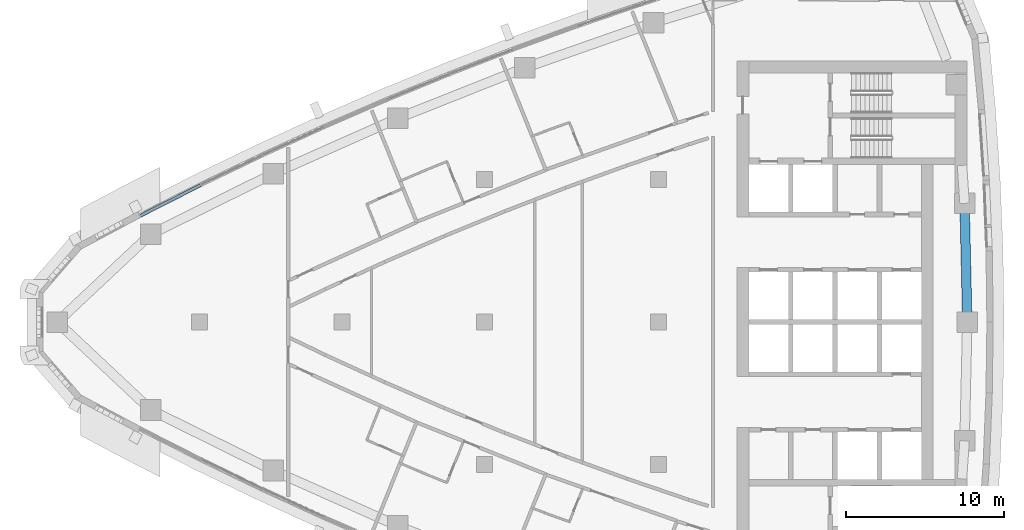
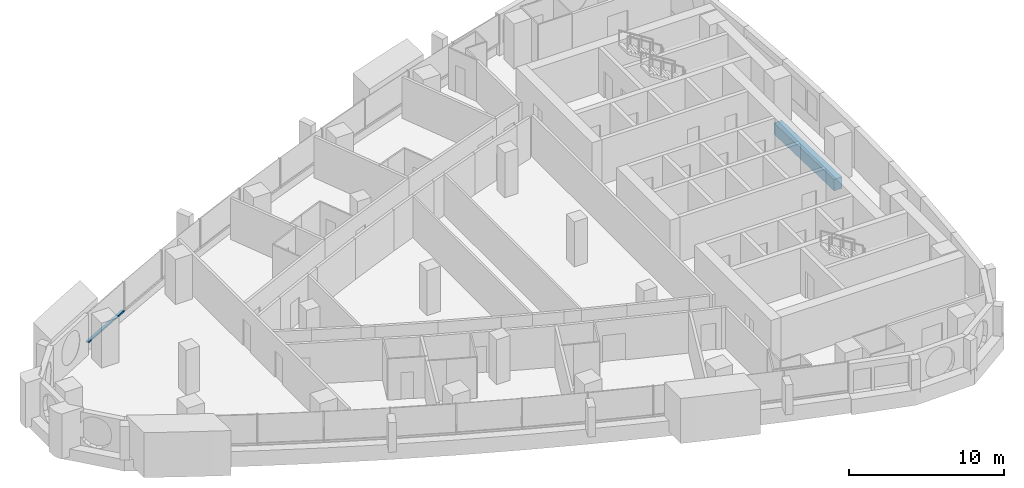
# One storey, part 5 of 17: 1 beam, 1 member, 1 element without a shape of its own.
"""IFC4 building model written with IfcOpenShell, lengths in metres."""

import ifcopenshell
import ifcopenshell.guid

model = None  # the IFC model being written
_history = None  # IfcOwnerHistory: only IFC2X3 demands one
_inside = {}  # id of a spatial element -> (the spatial element, [elements in it])
_under = {}  # id of a project, library or spatial element -> (it, [spatial elements below it])
_declared = {}  # id of a project -> (the project, [libraries it declares])
_typed = {}  # id of a type object -> (the type object, [elements of that type])
_made_of = {}  # id of a material, layer set ... -> (it, [elements and type objects made of it])


def new_model(schema):
    """Start an empty IFC model of exactly this schema.

    Asked for "IFC4X3", IfcOpenShell would pick the latest addendum, in which some entities
    have other attributes; the version numbers below select the first issue.
    IFC2X3 requires an IfcOwnerHistory on every rooted entity: one is made here for all.
    """
    global model, _history
    if schema == "IFC4X3":
        model = ifcopenshell.file(schema_version=(4, 3, 0, 0))
    else:
        model = ifcopenshell.file(schema=schema)
    _inside.clear()
    _under.clear()
    _declared.clear()
    _typed.clear()
    _made_of.clear()
    _history = None
    if model.schema == "IFC2X3":
        org = make("IfcOrganization", Name="unknown")
        user = make(
            "IfcPersonAndOrganization",
            ThePerson=make("IfcPerson", FamilyName="unknown"),
            TheOrganization=org,
        )
        app = make(
            "IfcApplication",
            ApplicationDeveloper=org,
            Version="unknown",
            ApplicationFullName="unknown",
            ApplicationIdentifier="unknown",
        )
        _history = make(
            "IfcOwnerHistory",
            OwningUser=user,
            OwningApplication=app,
            ChangeAction="ADDED",
            CreationDate=0,
        )
    return model


def make(cls, **values):
    """One entity of the class cls with the attributes given. An attribute that is None is left unset."""
    return model.create_entity(
        cls, **{name: value for name, value in values.items() if value is not None}
    )


def rooted(cls, **values):
    """An entity with a GlobalId (a new one), such as an element, a storey or a relation."""
    return make(cls, GlobalId=ifcopenshell.guid.new(), OwnerHistory=_history, **values)


def si_unit(unit_type, name, prefix=None):
    """IfcSIUnit, for example si_unit("LENGTHUNIT", "METRE", prefix="MILLI")."""
    return make("IfcSIUnit", UnitType=unit_type, Prefix=prefix, Name=name)


def assignment(units):
    """IfcUnitAssignment: the units of a project."""
    return None if units is None else make("IfcUnitAssignment", Units=units)


def point(xyz):
    """IfcCartesianPoint."""
    return None if xyz is None else make("IfcCartesianPoint", Coordinates=xyz)


def direction(xyz):
    """IfcDirection."""
    return None if xyz is None else make("IfcDirection", DirectionRatios=xyz)


def frame(location, z_axis=None, x_axis=None):
    """IfcAxis2Placement3D, a coordinate frame: its origin and axes. An axis left out is left unset."""
    return make(
        "IfcAxis2Placement3D",
        Location=point(location),
        Axis=direction(z_axis),
        RefDirection=direction(x_axis),
    )


def frame_2d(location, x_axis=None):
    """IfcAxis2Placement2D, a coordinate frame in the plane: its origin and x axis."""
    return make(
        "IfcAxis2Placement2D", Location=point(location), RefDirection=direction(x_axis)
    )


def origin():
    """The frame at (0, 0, 0) with its axes left unset."""
    return frame((0.0, 0.0, 0.0))


def origin_2d():
    """The frame at (0, 0) in the plane with its x axis left unset."""
    return frame_2d((0.0, 0.0))


def place(relative_to, where):
    """IfcLocalPlacement: puts the frame where relative to a parent placement (None: the world)."""
    return make(
        "IfcLocalPlacement", PlacementRelTo=relative_to, RelativePlacement=where
    )


def context(
    kind, dimensions, precision=None, world=None, true_north=None, identifier=None
):
    """IfcGeometricRepresentationContext, for example the 3D "Model" context."""
    return make(
        "IfcGeometricRepresentationContext",
        ContextIdentifier=identifier,
        ContextType=kind,
        CoordinateSpaceDimension=dimensions,
        Precision=precision,
        WorldCoordinateSystem=world,
        TrueNorth=true_north,
    )


def subcontext(parent, identifier, kind, view, scale=None):
    """IfcGeometricRepresentationSubContext, for example "Body" below "Model"."""
    return make(
        "IfcGeometricRepresentationSubContext",
        ContextIdentifier=identifier,
        ContextType=kind,
        ParentContext=parent,
        TargetScale=scale,
        TargetView=view,
    )


def project(units=None, contexts=None):
    """IfcProject with its units and contexts."""
    return rooted(
        "IfcProject",
        Name="project",
        RepresentationContexts=contexts,
        UnitsInContext=assignment(units),
    )


def spatial(cls, under=None, at=None, **own):
    """A site, building, storey or space (cls), placed at a placement, below another one or the project."""
    s = rooted(cls, ObjectPlacement=at, **own)
    if under is not None:
        _under.setdefault(under.id(), (under, []))[1].append(s)
    return s


def profile(cls, at=None, kind="AREA", **sizes):
    """A parametric profile (cls). Its sizes go by their IFC names, for example OverallWidth=200.0."""
    return make(cls, ProfileType=kind, Position=at, **sizes)


def rectangle(**sizes):
    """IfcRectangleProfileDef."""
    return profile("IfcRectangleProfileDef", **sizes)


def extrude(swept, where, along, depth):
    """IfcExtrudedAreaSolid: the profile swept, set in the frame where, extruded along a direction by depth."""
    return make(
        "IfcExtrudedAreaSolid",
        SweptArea=swept,
        Position=where,
        ExtrudedDirection=direction(along),
        Depth=depth,
    )


def shape(context_of_items, identifier, shape_type, items):
    """IfcShapeRepresentation: the items that make up one representation, for example the "Body"."""
    return make(
        "IfcShapeRepresentation",
        ContextOfItems=context_of_items,
        RepresentationIdentifier=identifier,
        RepresentationType=shape_type,
        Items=items,
    )


def material(Name=None, Category=None):
    """IfcMaterial."""
    return make("IfcMaterial", Name=Name, Category=Category)


def layer(
    of_material, thickness, ventilated=None, Name=None, Category=None, Priority=None
):
    """IfcMaterialLayer: one layer of a wall or slab, of a material (None: an air gap)."""
    return make(
        "IfcMaterialLayer",
        Material=of_material,
        LayerThickness=thickness,
        IsVentilated=ventilated,
        Name=Name,
        Category=Category,
        Priority=Priority,
    )


def layer_set(layers, Name=None):
    """IfcMaterialLayerSet."""
    return make("IfcMaterialLayerSet", MaterialLayers=layers, LayerSetName=Name)


def material_profile(
    of_material, cross_section, Name=None, Category=None, Priority=None
):
    """IfcMaterialProfile: a cross section and its material."""
    return make(
        "IfcMaterialProfile",
        Name=Name,
        Material=of_material,
        Profile=cross_section,
        Priority=Priority,
        Category=Category,
    )


def profile_set(profiles, Name=None, composite=None):
    """IfcMaterialProfileSet."""
    return make(
        "IfcMaterialProfileSet",
        Name=Name,
        MaterialProfiles=profiles,
        CompositeProfile=composite,
    )


def made_of(thing, what):
    """Note that an element or type object is made of a material, layer set ...; save() writes the relation."""
    if what is not None:
        _made_of.setdefault(what.id(), (what, []))[1].append(thing)
    return thing


def type_object(cls, material=None, **own):
    """A type object (cls), such as IfcWallType, which elements share."""
    return made_of(rooted(cls, **own), material)


def element(
    cls,
    number,
    at=None,
    inside=None,
    cuts=None,
    type_object=None,
    material=None,
    context=None,
    identifier="Body",
    shape_type=None,
    held_by="IfcProductDefinitionShape",
    body=None,
    shapes=None,
    **own,
):
    """One element of the class cls, such as IfcWall. Its Tag is "e" and its number.

    at: its placement. inside: the storey or other place that contains it. cuts: it is an
    opening in that element (IfcRelVoidsElement). A single representation is given by context,
    identifier, shape_type and body (its items); several are given by shapes. held_by: the class
    of the entity that holds the representations. save() writes the other relations.
    """
    e = rooted(cls, Tag="e%d" % number, ObjectPlacement=at, **own)
    if body is not None:
        shapes = [shape(context, identifier, shape_type, body)]
    if shapes is not None:
        e.Representation = make(held_by, Representations=shapes)
    if inside is not None:
        _inside.setdefault(inside.id(), (inside, []))[1].append(e)
    if cuts is not None:
        rooted(
            "IfcRelVoidsElement", RelatingBuildingElement=cuts, RelatedOpeningElement=e
        )
    if type_object is not None:
        _typed.setdefault(type_object.id(), (type_object, []))[1].append(e)
    return made_of(e, material)


def aggregate(whole, parts):
    """IfcRelAggregates: a whole, such as a stair, and the parts it consists of."""
    return rooted("IfcRelAggregates", RelatingObject=whole, RelatedObjects=parts)


def save(model, path):
    """Write the relations noted so far, then the file.

    IfcRelAggregates (storeys below a building ...), IfcRelContainedInSpatialStructure (elements
    in a storey), IfcRelDefinesByType, IfcRelAssociatesMaterial and IfcRelDeclares: one each for
    every whole, place, type object, material and project.
    """
    for whole, parts in _under.values():
        aggregate(whole, parts)
    for where, things in _inside.values():
        rooted(
            "IfcRelContainedInSpatialStructure",
            RelatedElements=things,
            RelatingStructure=where,
        )
    for kind, things in _typed.values():
        rooted("IfcRelDefinesByType", RelatedObjects=things, RelatingType=kind)
    for what, things in _made_of.values():
        rooted("IfcRelAssociatesMaterial", RelatedObjects=things, RelatingMaterial=what)
    for by, libraries in _declared.values():
        rooted("IfcRelDeclares", RelatingContext=by, RelatedDefinitions=libraries)
    model.write(path)


model = new_model("IFC4")

# Units and contexts
model_context = context("Model", 3, precision=1e-05, world=origin(), true_north=direction((0.0, 1.0)))
body_context = subcontext(model_context, "Body", "Model", "MODEL_VIEW")
ifc_project = project(units=[si_unit("LENGTHUNIT", "METRE"), si_unit("AREAUNIT", "SQUARE_METRE"), si_unit("VOLUMEUNIT", "CUBIC_METRE"), si_unit("PLANEANGLEUNIT", "RADIAN"), si_unit("MASSUNIT", "GRAM", prefix="KILO")], contexts=[model_context])

# Site, building, storey
site_placement = place(None, origin())
site = spatial("IfcSite", under=ifc_project, at=site_placement, CompositionType="ELEMENT")
building_placement = place(site_placement, origin())
building = spatial("IfcBuilding", under=site, at=building_placement, Name="Ostrand Prow Hotel Tower", CompositionType="ELEMENT")
storey_placement = place(building_placement, frame((0.0, 0.0, 196.800048828125)))
storey = spatial("IfcBuildingStorey", under=building, at=storey_placement, Name="L49", CompositionType="ELEMENT", Elevation=196.800048828125)

# Beam
ifc_material_1 = material(Name="Concrete C60/75", Category="concrete")
ifc_material_profile_1 = material_profile(ifc_material_1, rectangle(XDim=0.60009765625, YDim=0.89990234375, at=origin_2d()), Name="RC 600x900")
ifc_profile_set_1 = profile_set([ifc_material_profile_1], Name="Concrete C60/75")
beam_type = type_object("IfcBeamType", Name="Edge beam 600x900 C60/75", PredefinedType="SPANDREL", material=ifc_profile_set_1)
beam_placement = place(storey_placement, frame((64.5, 0.0, -0.75), z_axis=(-0.022620118241, 0.999744132391, 0.0), x_axis=(-0.999744132391, -0.022620118241, 0.0)))
element("IfcBeam", 1, at=beam_placement, inside=storey, type_object=beam_type, Name="Edge beam B3-B4", PredefinedType="SPANDREL", context=body_context, shape_type="SweptSolid", body=[
    extrude(rectangle(XDim=0.60009765625, YDim=0.89990234375, at=origin_2d()), origin(), (0.0, 0.0, 1.0), 7.501220703125),
])

# Curtain wall, member
ifc_material_2 = material(Name="Insulated glass in bronze anodised frame", Category="glass")
ifc_layer = layer(ifc_material_2, 0.199951171875)
ifc_layer_set = layer_set([ifc_layer], Name="Insulated glass in bronze anodised frame")
curtain_wall_type = type_object("IfcCurtainWallType", Name="Strip curtain wall, fritted glass over bronze spandrel", PredefinedType="NOTDEFINED", material=ifc_layer_set)
curtain_wall_placement = place(storey_placement, origin())
curtain_wall = element("IfcCurtainWall", 2, at=curtain_wall_placement, inside=storey, type_object=curtain_wall_type, Name="CW1 run CWN5", PredefinedType="NOTDEFINED")
ifc_material_3 = material(Name="Bronze anodised aluminium", Category="aluminium")
ifc_material_profile_2 = material_profile(ifc_material_3, rectangle(XDim=0.199951171875, YDim=0.1201171875, at=origin_2d()), Name="Transom 120x200 bronze anodised aluminium")
ifc_profile_set_2 = profile_set([ifc_material_profile_2], Name="Bronze anodised aluminium")
member_type = type_object("IfcMemberType", Name="Transom 120x200 bronze anodised aluminium", PredefinedType="USERDEFINED", material=ifc_profile_set_2)
member_placement = place(storey_placement, frame((16.06787109375, 8.6474609375, 0.9599609375), z_axis=(-0.891672840777, -0.452680400526, 0.0), x_axis=(0.452680400526, -0.891672840777, 0.0)))
member = element("IfcMember", 3, at=member_placement, type_object=member_type, Name="CW1 transom 2.1", ObjectType="TRANSOM", PredefinedType="USERDEFINED", context=body_context, shape_type="SweptSolid", body=[
    extrude(rectangle(XDim=0.199951171875, YDim=0.1201171875, at=origin_2d()), origin(), (0.0, 0.0, 1.0), 4.2451171875),
])
aggregate(curtain_wall, [member])

save(model, "model.ifc")
